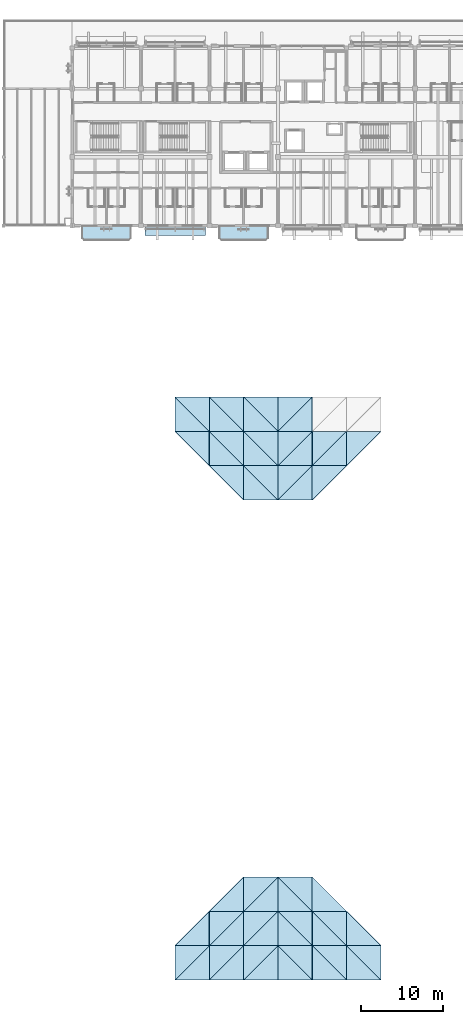
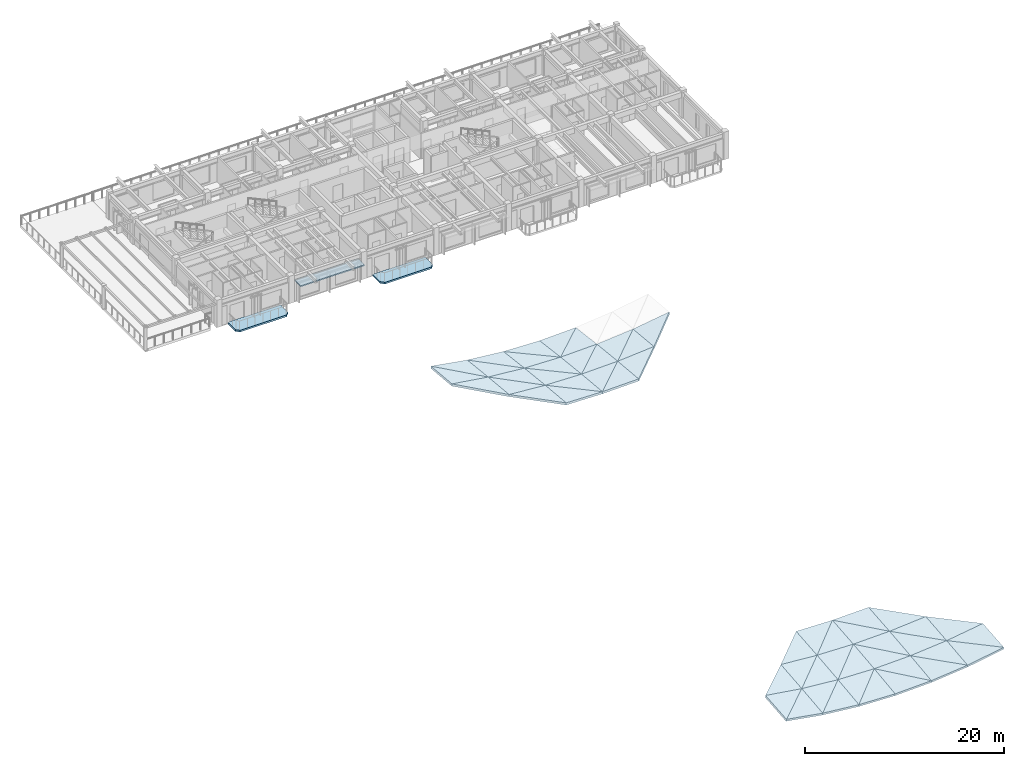
# One storey, part 7 of 22: 54 slabs, 1 plate, 1 element without a shape of its own.
"""IFC4 building model written with IfcOpenShell, lengths in metres."""

from ifc_helpers import new_model, si_unit, direction, frame, origin, origin_2d, place, context, subcontext, project, spatial, polyline, rectangle, outline, extrude, material, layer, layer_set, type_object, element, aggregate, save


model = new_model("IFC4")

# Units and contexts
model_context = context("Model", 3, precision=1e-05, world=origin(), true_north=direction((0.0, 1.0)))
body_context = subcontext(model_context, "Body", "Model", "MODEL_VIEW")
ifc_project = project(units=[si_unit("LENGTHUNIT", "METRE"), si_unit("AREAUNIT", "SQUARE_METRE"), si_unit("VOLUMEUNIT", "CUBIC_METRE"), si_unit("PLANEANGLEUNIT", "RADIAN"), si_unit("MASSUNIT", "GRAM", prefix="KILO")], contexts=[model_context])

# Site, building, storey
site_placement = place(None, origin())
site = spatial("IfcSite", under=ifc_project, at=site_placement, CompositionType="ELEMENT")
building_placement = place(site_placement, origin())
building = spatial("IfcBuilding", under=site, at=building_placement, Name="Cumbredor Promenade Congress Hotel", CompositionType="ELEMENT")
storey_placement = place(building_placement, frame((0.0, 0.0, 28.56005859375)))
storey = spatial("IfcBuildingStorey", under=building, at=storey_placement, Name="L08", CompositionType="ELEMENT", Elevation=28.56005859375)

# Slabs
ifc_material_1 = material(Name="Concrete C40/50", Category="concrete")
ifc_layer_1 = layer(ifc_material_1, 0.215087890625, Name="Concrete C40/50", Category="concrete")
ifc_layer_set_1 = layer_set([ifc_layer_1], Name="Concrete C40/50")
slab_type_1 = type_object("IfcSlabType", Name="Cantilevered Guestroom Balcony Slab 215mm", PredefinedType="FLOOR", material=ifc_layer_set_1)
slab_1_placement = place(storey_placement, frame((0.0, 0.0, -0.215087890625)))
element("IfcSlab", 1, at=slab_1_placement, inside=storey, type_object=slab_type_1, Name="L08 Cantilevered Guestroom Veranda Balcony 049", PredefinedType="FLOOR", context=body_context, shape_type="SweptSolid", body=[
    extrude(outline(polyline([(9.89990234375, 90.550048828125), (15.300048828125, 90.550048828125), (15.64990234375, 90.89990234375), (15.64990234375, 92.39990234375), (9.550048828125, 92.39990234375), (9.550048828125, 90.89990234375), (9.89990234375, 90.550048828125)])), origin(), (0.0, 0.0, 1.0), 0.215087890625),
])
slab_2_placement = place(storey_placement, frame((0.0, 0.0, -0.215087890625)))
element("IfcSlab", 2, at=slab_2_placement, inside=storey, type_object=slab_type_1, Name="L08 Cantilevered Guestroom Veranda Balcony 050", PredefinedType="FLOOR", context=body_context, shape_type="SweptSolid", body=[
    extrude(outline(polyline([(26.699951171875, 90.550048828125), (32.10009765625, 90.550048828125), (32.449951171875, 90.89990234375), (32.449951171875, 92.39990234375), (26.35009765625, 92.39990234375), (26.35009765625, 90.89990234375), (26.699951171875, 90.550048828125)])), origin(), (0.0, 0.0, 1.0), 0.215087890625),
])
ifc_layer_2 = layer(ifc_material_1, 0.25, Name="Concrete C40/50", Category="concrete")
ifc_layer_set_2 = layer_set([ifc_layer_2], Name="Concrete C40/50")
slab_type_2 = type_object("IfcSlabType", Name="Catenary Space Frame Roof Deck 250mm", PredefinedType="ROOF", material=ifc_layer_set_2)
slab_3_placement = place(storey_placement, frame((21.0, 0.0, 3.328857421875), z_axis=(0.167076835038, -0.108460379786, 0.979960038578), x_axis=(0.985775351576, 0.0, -0.168068308212)))
element("IfcSlab", 3, at=slab_3_placement, inside=storey, type_object=slab_type_2, Name="Plenary Congress Hall Sweeping Roof Deck Facet 7.1.1", PredefinedType="ROOF", context=body_context, shape_type="SweptSolid", body=[
    extrude(outline(polyline([(0.0, 0.0), (4.260556084264517, 0.0), (4.182430581619061, 4.224874668423272), (0.0, 0.0)])), origin(), (0.0, 0.0, -1.0), 0.25),
])
slab_4_placement = place(storey_placement, frame((21.0, 0.0, 3.328857421875), z_axis=(0.148336804241, -0.089425738412, 0.984885389178), x_axis=(0.706475147668, 0.706475147668, -0.042257915884)))
element("IfcSlab", 4, at=slab_4_placement, inside=storey, type_object=slab_type_2, Name="Plenary Congress Hall Sweeping Roof Deck Facet 7.1.2", PredefinedType="ROOF", context=body_context, shape_type="SweptSolid", body=[
    extrude(outline(polyline([(0.0, 0.0), (5.944938312038821, -5.204170427930421e-16), (2.95104616716861, 3.012696864986753), (0.0, 0.0)])), origin(), (0.0, 0.0, -1.0), 0.25),
])
slab_5_placement = place(storey_placement, frame((21.0, 4.199951171875, 3.710205078125), z_axis=(0.148256068944, -0.095270688843, 0.98434934544), x_axis=(0.98884721285, 0.0, -0.14893350744)))
element("IfcSlab", 5, at=slab_5_placement, inside=storey, type_object=slab_type_2, Name="Plenary Congress Hall Sweeping Roof Deck Facet 7.2.1", PredefinedType="ROOF", context=body_context, shape_type="SweptSolid", body=[
    extrude(outline(polyline([(0.0, 0.0), (4.247320634872834, -6.938893903907228e-18), (4.186780036755638, 4.219142349871151), (0.0, 0.0)])), origin(), (0.0, 0.0, -1.0), 0.25),
])
slab_6_placement = place(storey_placement, frame((25.199951171875, 63.0, 3.484130859375), z_axis=(0.148256068944, 0.095270688843, 0.98434934544), x_axis=(0.0, 0.995348939821, -0.096335289473)))
element("IfcSlab", 6, at=slab_6_placement, inside=storey, type_object=slab_type_2, Name="Plenary Congress Hall Sweeping Roof Deck Facet 7.16.2", PredefinedType="ROOF", context=body_context, shape_type="SweptSolid", body=[
    extrude(outline(polyline([(0.0, 0.0), (4.219576676930595, -6.938893903907228e-18), (4.158638020918838, 4.246883452088136), (0.0, 0.0)])), origin(), (0.0, 0.0, -1.0), 0.25),
])
slab_7_placement = place(storey_placement, frame((21.0, 67.199951171875, 3.710205078125), z_axis=(0.148336804241, 0.089425738412, 0.984885389178), x_axis=(0.98884721285, 0.0, -0.14893350744)))
element("IfcSlab", 7, at=slab_7_placement, inside=storey, type_object=slab_type_2, Name="Plenary Congress Hall Sweeping Roof Deck Facet 7.17.1", PredefinedType="ROOF", context=body_context, shape_type="SweptSolid", body=[
    extrude(outline(polyline([(0.0, 0.0), (4.247320634872833, 0.0), (0.056795443999434835, 4.216845996547948), (0.0, 0.0)])), origin(), (0.0, 0.0, -1.0), 0.25),
])
slab_8_placement = place(storey_placement, frame((25.199951171875, 67.199951171875, 3.07763671875), z_axis=(0.167076835038, 0.108460379786, 0.979960038578), x_axis=(0.0, 0.993930851571, -0.110006646596)))
element("IfcSlab", 8, at=slab_8_placement, inside=storey, type_object=slab_type_2, Name="Plenary Congress Hall Sweeping Roof Deck Facet 7.17.2", PredefinedType="ROOF", context=body_context, shape_type="SweptSolid", body=[
    extrude(outline(polyline([(0.0, 0.0), (4.225596946947053, 0.0), (4.146825097712163, 4.259827830198248), (0.0, 0.0)])), origin(), (0.0, 0.0, -1.0), 0.25),
])
slab_9_placement = place(storey_placement, frame((25.199951171875, 0.0, 2.61279296875), z_axis=(0.101027920148, -0.121061297496, 0.98749051722), x_axis=(0.994807291666, 0.0, -0.101776482784)))
element("IfcSlab", 9, at=slab_9_placement, inside=storey, type_object=slab_type_2, Name="Plenary Congress Hall Sweeping Roof Deck Facet 8.1.1", PredefinedType="ROOF", context=body_context, shape_type="SweptSolid", body=[
    extrude(outline(polyline([(0.0, 0.0), (4.221874132869245, 0.0), (4.169470177256119, 4.2310705546679905), (0.0, 0.0)])), origin(), (0.0, 0.0, -1.0), 0.25),
])
slab_10_placement = place(storey_placement, frame((25.199951171875, 0.0, 2.61279296875), z_axis=(0.08948220245, -0.10956534628, 0.989943619778), x_axis=(0.707034036636, 0.707034036636, 0.014343712073)))
element("IfcSlab", 10, at=slab_10_placement, inside=storey, type_object=slab_type_2, Name="Plenary Congress Hall Sweeping Roof Deck Facet 8.1.2", PredefinedType="ROOF", context=body_context, shape_type="SweptSolid", body=[
    extrude(outline(polyline([(0.0, 0.0), (5.940239018558652, 4.701100619897147e-16), (2.976176015634226, 2.999674295988122), (0.0, 0.0)])), origin(), (0.0, 0.0, -1.0), 0.25),
])
slab_11_placement = place(storey_placement, frame((25.199951171875, 4.199951171875, 3.07763671875), z_axis=(0.089514991235, -0.106209105356, 0.990306362841), x_axis=(0.995939579594, 0.0, -0.090024184518)))
element("IfcSlab", 11, at=slab_11_placement, inside=storey, type_object=slab_type_2, Name="Plenary Congress Hall Sweeping Roof Deck Facet 8.2.1", PredefinedType="ROOF", context=body_context, shape_type="SweptSolid", body=[
    extrude(outline(polyline([(0.0, 0.0), (4.21707426627955, 0.0), (4.176523821837095, 4.22384199615957), (0.0, 0.0)])), origin(), (0.0, 0.0, -1.0), 0.25),
])
slab_12_placement = place(storey_placement, frame((25.199951171875, 4.199951171875, 3.07763671875), z_axis=(0.07930559598, -0.096031867132, 0.992213940106), x_axis=(0.70705655082, 0.70705655082, 0.011919223376)))
element("IfcSlab", 12, at=slab_12_placement, inside=storey, type_object=slab_type_2, Name="Plenary Congress Hall Sweeping Roof Deck Facet 8.2.2", PredefinedType="ROOF", context=body_context, shape_type="SweptSolid", body=[
    extrude(outline(polyline([(0.0, 0.0), (5.940049868721136, 1.8214596497756474e-16), (2.974448083660264, 2.992905934055801), (0.0, 0.0)])), origin(), (0.0, 0.0, -1.0), 0.25),
])
slab_13_placement = place(storey_placement, frame((25.199951171875, 8.39990234375, 3.484130859375), z_axis=(0.079341625822, -0.0912231412, 0.992664719289), x_axis=(0.99682098753, 0.0, -0.079673827696)))
element("IfcSlab", 13, at=slab_13_placement, inside=storey, type_object=slab_type_2, Name="Plenary Congress Hall Sweeping Roof Deck Facet 8.3.1", PredefinedType="ROOF", context=body_context, shape_type="SweptSolid", body=[
    extrude(outline(polyline([(0.0, 0.0), (4.21334544959972, 0.0), (4.182592441399689, 4.217781450138573), (0.0, 0.0)])), origin(), (0.0, 0.0, -1.0), 0.25),
])
slab_14_placement = place(storey_placement, frame((29.39990234375, 58.800048828125, 3.534423828125), z_axis=(0.079341587441, 0.091228399814, 0.992664239091), x_axis=(0.0, 0.995803522559, -0.091516908049)))
element("IfcSlab", 14, at=slab_14_placement, inside=storey, type_object=slab_type_2, Name="Plenary Congress Hall Sweeping Roof Deck Facet 8.15.2", PredefinedType="ROOF", context=body_context, shape_type="SweptSolid", body=[
    extrude(outline(polyline([(0.0, 0.0), (4.217650446828614, 0.0), (4.186928828526051, 4.21323344473476), (0.0, 0.0)])), origin(), (0.0, 0.0, -1.0), 0.25),
])
slab_15_placement = place(storey_placement, frame((25.199951171875, 63.0, 3.484130859375), z_axis=(0.07930559598, 0.096031867132, 0.992213940106), x_axis=(0.99682098753, 0.0, -0.079673827696)))
element("IfcSlab", 15, at=slab_15_placement, inside=storey, type_object=slab_type_2, Name="Plenary Congress Hall Sweeping Roof Deck Facet 8.16.1", PredefinedType="ROOF", context=body_context, shape_type="SweptSolid", body=[
    extrude(outline(polyline([(0.0, 0.0), (4.21334544959972, 0.0), (0.03238694411957695, 4.219452383704222), (0.0, 0.0)])), origin(), (0.0, 0.0, -1.0), 0.25),
])
slab_16_placement = place(storey_placement, frame((29.39990234375, 63.0, 3.1484375), z_axis=(0.089514991235, 0.106209105356, 0.990306362841), x_axis=(0.0, 0.994297997041, -0.106637203077)))
element("IfcSlab", 16, at=slab_16_placement, inside=storey, type_object=slab_type_2, Name="Plenary Congress Hall Sweeping Roof Deck Facet 8.16.2", PredefinedType="ROOF", context=body_context, shape_type="SweptSolid", body=[
    extrude(outline(polyline([(0.0, 0.0), (4.224036641302456, 0.0), (4.183553035153683, 4.216879941965433), (0.0, 0.0)])), origin(), (0.0, 0.0, -1.0), 0.25),
])
slab_17_placement = place(storey_placement, frame((25.199951171875, 67.199951171875, 3.07763671875), z_axis=(0.08948220245, 0.10956534628, 0.989943619778), x_axis=(0.995939579594, 0.0, -0.090024184518)))
element("IfcSlab", 17, at=slab_17_placement, inside=storey, type_object=slab_type_2, Name="Plenary Congress Hall Sweeping Roof Deck Facet 8.17.1", PredefinedType="ROOF", context=body_context, shape_type="SweptSolid", body=[
    extrude(outline(polyline([(0.0, 0.0), (4.21707426627955, -6.938893903907228e-18), (0.04184717952218681, 4.2253897301449355), (0.0, 0.0)])), origin(), (0.0, 0.0, -1.0), 0.25),
])
slab_18_placement = place(storey_placement, frame((29.39990234375, 67.199951171875, 2.697998046875), z_axis=(0.101027920148, 0.121061297496, 0.98749051722), x_axis=(0.0, 0.992568905848, -0.121683882022)))
element("IfcSlab", 18, at=slab_18_placement, inside=storey, type_object=slab_type_2, Name="Plenary Congress Hall Sweeping Roof Deck Facet 8.17.2", PredefinedType="ROOF", context=body_context, shape_type="SweptSolid", body=[
    extrude(outline(polyline([(0.0, 0.0), (4.231395067013053, 0.0), (4.179109023956511, 4.2215503506996015), (0.0, 0.0)])), origin(), (0.0, 0.0, -1.0), 0.25),
])
slab_19_placement = place(storey_placement, frame((29.39990234375, 0.0, 2.18310546875), z_axis=(0.033773062522, -0.12547479695, 0.991521787748), x_axis=(0.999420399615, 0.0, -0.034042103823)))
element("IfcSlab", 19, at=slab_19_placement, inside=storey, type_object=slab_type_2, Name="Plenary Congress Hall Sweeping Roof Deck Facet 9.1.1", PredefinedType="ROOF", context=body_context, shape_type="SweptSolid", body=[
    extrude(outline(polyline([(0.0, 0.0), (4.202631159136412, 0.0), (4.184537980419825, 4.233408615352033), (0.0, 0.0)])), origin(), (0.0, 0.0, -1.0), 0.25),
])
slab_20_placement = place(storey_placement, frame((29.39990234375, 0.0, 2.18310546875), z_axis=(0.029872194917, -0.121629577719, 0.992125948554), x_axis=(0.705620190099, 0.705579175208, 0.065254692074)))
element("IfcSlab", 20, at=slab_20_placement, inside=storey, type_object=slab_type_2, Name="Plenary Congress Hall Sweeping Roof Deck Facet 9.1.2", PredefinedType="ROOF", context=body_context, shape_type="SweptSolid", body=[
    extrude(outline(polyline([(0.0, 0.0), (5.952487430823592, -3.3306690738754696e-16), (2.996997240401309, 2.9870908513417085), (0.0, 0.0)])), origin(), (0.0, 0.0, -1.0), 0.25),
])
slab_21_placement = place(storey_placement, frame((29.39990234375, 4.199951171875, 2.697998046875), z_axis=(0.029913147166, -0.109957418807, 0.993486069191), x_axis=(0.999547023689, 0.0, -0.030095638123)))
element("IfcSlab", 21, at=slab_21_placement, inside=storey, type_object=slab_type_2, Name="Plenary Congress Hall Sweeping Roof Deck Facet 9.2.1", PredefinedType="ROOF", context=body_context, shape_type="SweptSolid", body=[
    extrude(outline(polyline([(0.0, 0.0), (4.202098763695552, 0.0), (4.188108994411735, 4.225573788777523), (0.0, 0.0)])), origin(), (0.0, 0.0, -1.0), 0.25),
])
slab_22_placement = place(storey_placement, frame((29.39990234375, 4.199951171875, 2.697998046875), z_axis=(0.026518384248, -0.106599701526, 0.993948328099), x_axis=(0.70598267622, 0.705941640259, 0.056875842202)))
element("IfcSlab", 22, at=slab_22_placement, inside=storey, type_object=slab_type_2, Name="Plenary Congress Hall Sweeping Roof Deck Facet 9.2.2", PredefinedType="ROOF", context=body_context, shape_type="SweptSolid", body=[
    extrude(outline(polyline([(0.0, 0.0), (5.949431131921448, 0.0), (2.9905395425374577, 2.983145787853083), (0.0, 0.0)])), origin(), (0.0, 0.0, -1.0), 0.25),
])
slab_23_placement = place(storey_placement, frame((29.39990234375, 8.39990234375, 3.1484375), z_axis=(0.026551094754, -0.094461737982, 0.995174366342), x_axis=(0.99964428291, 0.0, -0.026670351422)))
element("IfcSlab", 23, at=slab_23_placement, inside=storey, type_object=slab_type_2, Name="Plenary Congress Hall Sweeping Roof Deck Facet 9.3.1", PredefinedType="ROOF", context=body_context, shape_type="SweptSolid", body=[
    extrude(outline(polyline([(0.0, 0.0), (4.2016899254124995, -1.734723475976807e-18), (4.191056945951724, 4.219060873401355), (0.0, 0.0)])), origin(), (0.0, 0.0, -1.0), 0.25),
])
slab_24_placement = place(storey_placement, frame((29.39990234375, 8.39990234375, 3.1484375), z_axis=(0.02355148879, -0.091486250065, 0.99552779641), x_axis=(0.706285021647, 0.706285021647, 0.048196850466)))
element("IfcSlab", 24, at=slab_24_placement, inside=storey, type_object=slab_type_2, Name="Plenary Congress Hall Sweeping Roof Deck Facet 9.3.2", PredefinedType="ROOF", context=body_context, shape_type="SweptSolid", body=[
    extrude(outline(polyline([(0.0, 0.0), (5.946884308415323, 5.620504062164855e-16), (2.985138362548235, 2.9798615848876677), (0.0, 0.0)])), origin(), (0.0, 0.0, -1.0), 0.25),
])
slab_25_placement = place(storey_placement, frame((29.39990234375, 58.800048828125, 3.534423828125), z_axis=(0.023551477331, 0.091491523591, 0.995527312044), x_axis=(0.999720283744, 0.0, -0.023650671674)))
element("IfcSlab", 25, at=slab_25_placement, inside=storey, type_object=slab_type_2, Name="Plenary Congress Hall Sweeping Roof Deck Facet 9.15.1", PredefinedType="ROOF", context=body_context, shape_type="SweptSolid", body=[
    extrude(outline(polyline([(0.0, 0.0), (4.20137050412712, 0.0), (0.00912883591723474, 4.21764056742492), (0.0, 0.0)])), origin(), (0.0, 0.0, -1.0), 0.25),
])
slab_26_placement = place(storey_placement, frame((33.60009765625, 58.800048828125, 3.43505859375), z_axis=(0.026551080982, 0.094467179985, 0.995173850141), x_axis=(0.0, 0.995524814543, -0.094500495387)))
element("IfcSlab", 26, at=slab_26_placement, inside=storey, type_object=slab_type_2, Name="Plenary Congress Hall Sweeping Roof Deck Facet 9.15.2", PredefinedType="ROOF", context=body_context, shape_type="SweptSolid", body=[
    extrude(outline(polyline([(0.0, 0.0), (4.218831224012834, 0.0), (4.208241446819764, 4.201676580358357), (0.0, 0.0)])), origin(), (0.0, 0.0, -1.0), 0.25),
])
slab_27_placement = place(storey_placement, frame((29.39990234375, 63.0, 3.1484375), z_axis=(0.026518384248, 0.106599701526, 0.993948328099), x_axis=(0.99964428291, 0.0, -0.026670351422)))
element("IfcSlab", 27, at=slab_27_placement, inside=storey, type_object=slab_type_2, Name="Plenary Congress Hall Sweeping Roof Deck Facet 9.16.1", PredefinedType="ROOF", context=body_context, shape_type="SweptSolid", body=[
    extrude(outline(polyline([(0.0, 0.0), (4.2016899254124995, 3.469446951953614e-18), (0.0120133785089598, 4.224019557933242), (0.0, 0.0)])), origin(), (0.0, 0.0, -1.0), 0.25),
])
slab_28_placement = place(storey_placement, frame((33.60009765625, 63.0, 3.036376953125), z_axis=(0.029913147166, 0.109957418807, 0.993486069191), x_axis=(0.0, 0.993930851571, -0.110006646596)))
element("IfcSlab", 28, at=slab_28_placement, inside=storey, type_object=slab_type_2, Name="Plenary Congress Hall Sweeping Roof Deck Facet 9.16.2", PredefinedType="ROOF", context=body_context, shape_type="SweptSolid", body=[
    extrude(outline(polyline([(0.0, 0.0), (4.225596946947053, 0.0), (4.211684973573827, 4.202075734306624), (0.0, 0.0)])), origin(), (0.0, 0.0, -1.0), 0.25),
])
slab_29_placement = place(storey_placement, frame((29.39990234375, 67.199951171875, 2.697998046875), z_axis=(0.029872194917, 0.121629577719, 0.992125948554), x_axis=(0.999547023689, 0.0, -0.030095638123)))
element("IfcSlab", 29, at=slab_29_placement, inside=storey, type_object=slab_type_2, Name="Plenary Congress Hall Sweeping Roof Deck Facet 9.17.1", PredefinedType="ROOF", context=body_context, shape_type="SweptSolid", body=[
    extrude(outline(polyline([(0.0, 0.0), (4.202098763695552, 1.734723475976807e-18), (0.015496020703555869, 4.231366692510205), (0.0, 0.0)])), origin(), (0.0, 0.0, -1.0), 0.25),
])
slab_30_placement = place(storey_placement, frame((33.60009765625, 67.199951171875, 2.571533203125), z_axis=(0.033773062522, 0.12547479695, 0.991521787748), x_axis=(0.0, 0.992087746619, -0.125546417741)))
element("IfcSlab", 30, at=slab_30_placement, inside=storey, type_object=slab_type_2, Name="Plenary Congress Hall Sweeping Roof Deck Facet 9.17.2", PredefinedType="ROOF", context=body_context, shape_type="SweptSolid", body=[
    extrude(outline(polyline([(0.0, 0.0), (4.23344727942287, 0.0), (4.215485804619169, 4.202592776509181), (0.0, 0.0)])), origin(), (0.0, 0.0, -1.0), 0.25),
])
slab_31_placement = place(storey_placement, frame((33.60009765625, 0.0, 2.0400390625), z_axis=(-0.03377502349, -0.12547478863, 0.991521722004), x_axis=(0.999420332288, 0.0, 0.034044080377)))
element("IfcSlab", 31, at=slab_31_placement, inside=storey, type_object=slab_type_2, Name="Plenary Congress Hall Sweeping Roof Deck Facet 10.1.1", PredefinedType="ROOF", context=body_context, shape_type="SweptSolid", body=[
    extrude(outline(polyline([(0.0, 0.0), (4.202387160023631, -3.469446951953614e-18), (0.018094229243200737, 4.233408610862054), (0.0, 0.0)])), origin(), (0.0, 0.0, -1.0), 0.25),
])
slab_32_placement = place(storey_placement, frame((37.800048828125, 0.0, 2.18310546875), z_axis=(-0.02987392982, -0.12162957141, 0.99212589709), x_axis=(0.0, 0.992568905848, 0.121683882022)))
element("IfcSlab", 32, at=slab_32_placement, inside=storey, type_object=slab_type_2, Name="Plenary Congress Hall Sweeping Roof Deck Facet 10.1.2", PredefinedType="ROOF", context=body_context, shape_type="SweptSolid", body=[
    extrude(outline(polyline([(0.0, 0.0), (4.231395067013053, -1.734723475976807e-18), (4.216006333886185, 4.201826553980024), (0.0, 0.0)])), origin(), (0.0, 0.0, -1.0), 0.25),
])
slab_33_placement = place(storey_placement, frame((33.60009765625, 4.199951171875, 2.571533203125), z_axis=(-0.029914884443, -0.109957413088, 0.993486017514), x_axis=(0.999546971061, 0.0, 0.03009738598)))
element("IfcSlab", 33, at=slab_33_placement, inside=storey, type_object=slab_type_2, Name="Plenary Congress Hall Sweeping Roof Deck Facet 10.2.1", PredefinedType="ROOF", context=body_context, shape_type="SweptSolid", body=[
    extrude(outline(polyline([(0.0, 0.0), (4.201854733666896, -1.734723475976807e-18), (0.013990581764023065, 4.225573786087536), (0.0, 0.0)])), origin(), (0.0, 0.0, -1.0), 0.25),
])
slab_34_placement = place(storey_placement, frame((37.800048828125, 4.199951171875, 2.697998046875), z_axis=(-0.026519924661, -0.106599697168, 0.993948287468), x_axis=(0.0, 0.994297997041, 0.106637203077)))
element("IfcSlab", 34, at=slab_34_placement, inside=storey, type_object=slab_type_2, Name="Plenary Congress Hall Sweeping Roof Deck Facet 10.2.2", PredefinedType="ROOF", context=body_context, shape_type="SweptSolid", body=[
    extrude(outline(polyline([(0.0, 0.0), (4.224036641302456, 0.0), (4.212086818008381, 4.20142887765857), (0.0, 0.0)])), origin(), (0.0, 0.0, -1.0), 0.25),
])
slab_35_placement = place(storey_placement, frame((33.60009765625, 8.39990234375, 3.036376953125), z_axis=(-0.026552637065, -0.094461734111, 0.99517432556), x_axis=(0.999644241576, 0.0, 0.02667190065)))
element("IfcSlab", 35, at=slab_35_placement, inside=storey, type_object=slab_type_2, Name="Plenary Congress Hall Sweeping Roof Deck Facet 10.3.1", PredefinedType="ROOF", context=body_context, shape_type="SweptSolid", body=[
    extrude(outline(polyline([(0.0, 0.0), (4.201445871637538, 0.0), (0.010633597109760407, 4.219060871844696), (0.0, 0.0)])), origin(), (0.0, 0.0, -1.0), 0.25),
])
slab_36_placement = place(storey_placement, frame((37.800048828125, 8.39990234375, 3.1484375), z_axis=(-0.023552857064, -0.091486247115, 0.99552776431), x_axis=(0.0, 0.995804007328, 0.091511633084)))
element("IfcSlab", 36, at=slab_36_placement, inside=storey, type_object=slab_type_2, Name="Plenary Congress Hall Sweeping Roof Deck Facet 10.3.2", PredefinedType="ROOF", context=body_context, shape_type="SweptSolid", body=[
    extrude(outline(polyline([(0.0, 0.0), (4.217893562982167, 1.734723475976807e-18), (4.208800488112688, 4.201116591089328), (0.0, 0.0)])), origin(), (0.0, 0.0, -1.0), 0.25),
])
slab_37_placement = place(storey_placement, frame((33.60009765625, 58.800048828125, 3.43505859375), z_axis=(-0.023552845605, 0.091491520641, 0.995527279945), x_axis=(0.999720251237, 0.0, 0.023652045704)))
element("IfcSlab", 37, at=slab_37_placement, inside=storey, type_object=slab_type_2, Name="Plenary Congress Hall Sweeping Roof Deck Facet 10.15.1", PredefinedType="ROOF", context=body_context, shape_type="SweptSolid", body=[
    extrude(outline(polyline([(0.0, 0.0), (4.201126431796189, 0.0), (4.191997065522085, 4.21764056627696), (0.0, 0.0)])), origin(), (0.0, 0.0, -1.0), 0.25),
])
slab_38_placement = place(storey_placement, frame((33.60009765625, 58.800048828125, 3.43505859375), z_axis=(-0.026552623292, 0.094467176114, 0.995173809359), x_axis=(0.706284926274, 0.706284926274, -0.048199645611)))
element("IfcSlab", 38, at=slab_38_placement, inside=storey, type_object=slab_type_2, Name="Plenary Congress Hall Sweeping Roof Deck Facet 10.15.2", PredefinedType="ROOF", context=body_context, shape_type="SweptSolid", body=[
    extrude(outline(polyline([(0.0, 0.0), (5.946539442705381, -1.6306400674181987e-16), (2.985578517570724, 2.980747861212992), (0.0, 0.0)])), origin(), (0.0, 0.0, -1.0), 0.25),
])
slab_39_placement = place(storey_placement, frame((33.60009765625, 63.0, 3.036376953125), z_axis=(-0.026519924661, 0.106599697168, 0.993948287468), x_axis=(0.999644241576, 0.0, 0.02667190065)))
element("IfcSlab", 39, at=slab_39_placement, inside=storey, type_object=slab_type_2, Name="Plenary Congress Hall Sweeping Roof Deck Facet 10.16.1", PredefinedType="ROOF", context=body_context, shape_type="SweptSolid", body=[
    extrude(outline(polyline([(0.0, 0.0), (4.201445871637538, 0.0), (4.189431795294912, 4.224019555948502), (0.0, 0.0)])), origin(), (0.0, 0.0, -1.0), 0.25),
])
slab_40_placement = place(storey_placement, frame((33.60009765625, 63.0, 3.036376953125), z_axis=(-0.029914884443, 0.109957413088, 0.993486017514), x_axis=(0.705962092161, 0.705962092161, -0.056877489957)))
element("IfcSlab", 40, at=slab_40_placement, inside=storey, type_object=slab_type_2, Name="Plenary Congress Hall Sweeping Roof Deck Facet 10.16.2", PredefinedType="ROOF", context=body_context, shape_type="SweptSolid", body=[
    extrude(outline(polyline([(0.0, 0.0), (5.949258775382302, -1.942890293094024e-16), (2.991445461992482, 2.9844469514422327), (0.0, 0.0)])), origin(), (0.0, 0.0, -1.0), 0.25),
])
slab_41_placement = place(storey_placement, frame((33.60009765625, 67.199951171875, 2.571533203125), z_axis=(-0.02987392982, 0.12162957141, 0.99212589709), x_axis=(0.999546971061, 0.0, 0.03009738598)))
element("IfcSlab", 41, at=slab_41_placement, inside=storey, type_object=slab_type_2, Name="Plenary Congress Hall Sweeping Roof Deck Facet 10.17.1", PredefinedType="ROOF", context=body_context, shape_type="SweptSolid", body=[
    extrude(outline(polyline([(0.0, 0.0), (4.201854733666896, 0.0), (4.186357813004961, 4.231366689214301), (0.0, 0.0)])), origin(), (0.0, 0.0, -1.0), 0.25),
])
slab_42_placement = place(storey_placement, frame((33.60009765625, 67.199951171875, 2.571533203125), z_axis=(-0.03377502349, 0.12547478863, 0.991521722004), x_axis=(0.705599595622, 0.705599595622, -0.065256580633)))
element("IfcSlab", 42, at=slab_42_placement, inside=storey, type_object=slab_type_2, Name="Plenary Congress Hall Sweeping Roof Deck Facet 10.17.2", PredefinedType="ROOF", context=body_context, shape_type="SweptSolid", body=[
    extrude(outline(polyline([(0.0, 0.0), (5.952315162783306, -3.191891195797325e-16), (2.9981673387512497, 2.9888239286545697), (0.0, 0.0)])), origin(), (0.0, 0.0, -1.0), 0.25),
])
slab_43_placement = place(storey_placement, frame((37.800048828125, 0.0, 2.18310546875), z_axis=(-0.101027920148, -0.121061297496, 0.98749051722), x_axis=(0.994807291666, 0.0, 0.101776482784)))
element("IfcSlab", 43, at=slab_43_placement, inside=storey, type_object=slab_type_2, Name="Plenary Congress Hall Sweeping Roof Deck Facet 11.1.1", PredefinedType="ROOF", context=body_context, shape_type="SweptSolid", body=[
    extrude(outline(polyline([(0.0, 0.0), (4.221874132869245, 0.0), (0.052403955613126295, 4.2310705546679905), (0.0, 0.0)])), origin(), (0.0, 0.0, -1.0), 0.25),
])
slab_44_placement = place(storey_placement, frame((42.0, 0.0, 2.61279296875), z_axis=(-0.08948220245, -0.10956534628, 0.989943619778), x_axis=(0.0, 0.993930851571, 0.110006646596)))
element("IfcSlab", 44, at=slab_44_placement, inside=storey, type_object=slab_type_2, Name="Plenary Congress Hall Sweeping Roof Deck Facet 11.1.2", PredefinedType="ROOF", context=body_context, shape_type="SweptSolid", body=[
    extrude(outline(polyline([(0.0, 0.0), (4.225596946947053, 0.0), (4.18383416973592, 4.216867467416639), (0.0, 0.0)])), origin(), (0.0, 0.0, -1.0), 0.25),
])
slab_45_placement = place(storey_placement, frame((37.800048828125, 4.199951171875, 2.697998046875), z_axis=(-0.089514991235, -0.106209105356, 0.990306362841), x_axis=(0.995939579594, 0.0, 0.090024184518)))
element("IfcSlab", 45, at=slab_45_placement, inside=storey, type_object=slab_type_2, Name="Plenary Congress Hall Sweeping Roof Deck Facet 11.2.1", PredefinedType="ROOF", context=body_context, shape_type="SweptSolid", body=[
    extrude(outline(polyline([(0.0, 0.0), (4.21707426627955, 0.0), (0.04055044444245519, 4.22384199615957), (0.0, 0.0)])), origin(), (0.0, 0.0, -1.0), 0.25),
])
slab_46_placement = place(storey_placement, frame((42.0, 4.199951171875, 3.07763671875), z_axis=(-0.07930559598, -0.096031867132, 0.992213940106), x_axis=(0.0, 0.995348939821, 0.096335289473)))
element("IfcSlab", 46, at=slab_46_placement, inside=storey, type_object=slab_type_2, Name="Plenary Congress Hall Sweeping Roof Deck Facet 11.2.2", PredefinedType="ROOF", context=body_context, shape_type="SweptSolid", body=[
    extrude(outline(polyline([(0.0, 0.0), (4.219576676930595, 6.938893903907228e-18), (4.1872375599810905, 4.21322133992241), (0.0, 0.0)])), origin(), (0.0, 0.0, -1.0), 0.25),
])
slab_47_placement = place(storey_placement, frame((37.800048828125, 8.39990234375, 3.1484375), z_axis=(-0.079341625822, -0.0912231412, 0.992664719289), x_axis=(0.99682098753, 0.0, 0.079673827696)))
element("IfcSlab", 47, at=slab_47_placement, inside=storey, type_object=slab_type_2, Name="Plenary Congress Hall Sweeping Roof Deck Facet 11.3.1", PredefinedType="ROOF", context=body_context, shape_type="SweptSolid", body=[
    extrude(outline(polyline([(0.0, 0.0), (4.21334544959972, 0.0), (0.030753008200030726, 4.217781450138573), (0.0, 0.0)])), origin(), (0.0, 0.0, -1.0), 0.25),
])
slab_48_placement = place(storey_placement, frame((37.800048828125, 58.800048828125, 3.534423828125), z_axis=(-0.079341587441, 0.091228399814, 0.992664239091), x_axis=(0.707081434119, 0.707081434119, -0.008467056643)))
element("IfcSlab", 48, at=slab_48_placement, inside=storey, type_object=slab_type_2, Name="Plenary Congress Hall Sweeping Roof Deck Facet 11.15.2", PredefinedType="ROOF", context=body_context, shape_type="SweptSolid", body=[
    extrude(outline(polyline([(0.0, 0.0), (5.939840829094166, -2.5240226575462543e-16), (2.9729756659431446, 2.991653553027744), (0.0, 0.0)])), origin(), (0.0, 0.0, -1.0), 0.25),
])
slab_49_placement = place(storey_placement, frame((37.800048828125, 63.0, 3.1484375), z_axis=(-0.07930559598, 0.096031867132, 0.992213940106), x_axis=(0.99682098753, 0.0, 0.079673827696)))
element("IfcSlab", 49, at=slab_49_placement, inside=storey, type_object=slab_type_2, Name="Plenary Congress Hall Sweeping Roof Deck Facet 11.16.1", PredefinedType="ROOF", context=body_context, shape_type="SweptSolid", body=[
    extrude(outline(polyline([(0.0, 0.0), (4.21334544959972, 0.0), (4.180958505480143, 4.219452383704222), (0.0, 0.0)])), origin(), (0.0, 0.0, -1.0), 0.25),
])
slab_50_placement = place(storey_placement, frame((37.800048828125, 63.0, 3.1484375), z_axis=(-0.089514991235, 0.106209105356, 0.990306362841), x_axis=(0.70705655082, 0.70705655082, -0.011919223376)))
element("IfcSlab", 50, at=slab_50_placement, inside=storey, type_object=slab_type_2, Name="Plenary Congress Hall Sweeping Roof Deck Facet 11.16.2", PredefinedType="ROOF", context=body_context, shape_type="SweptSolid", body=[
    extrude(outline(polyline([(0.0, 0.0), (5.940049868721136, -1.0928757898653885e-16), (2.97497187765628, 2.998671018004477), (0.0, 0.0)])), origin(), (0.0, 0.0, -1.0), 0.25),
])
slab_51_placement = place(storey_placement, frame((42.0, 0.0, 2.61279296875), z_axis=(-0.167076835038, -0.108460379786, 0.979960038578), x_axis=(0.985775351576, 0.0, 0.168068308212)))
element("IfcSlab", 51, at=slab_51_placement, inside=storey, type_object=slab_type_2, Name="Plenary Congress Hall Sweeping Roof Deck Facet 12.1.1", PredefinedType="ROOF", context=body_context, shape_type="SweptSolid", body=[
    extrude(outline(polyline([(0.0, 0.0), (4.260556084264517, 0.0), (0.07812550264545673, 4.224874668423272), (0.0, 0.0)])), origin(), (0.0, 0.0, -1.0), 0.25),
])
slab_52_placement = place(storey_placement, frame((46.199951171875, 0.0, 3.328857421875), z_axis=(-0.148336804241, -0.089425738412, 0.984885389178), x_axis=(0.0, 0.995903165323, 0.090426131735)))
element("IfcSlab", 52, at=slab_52_placement, inside=storey, type_object=slab_type_2, Name="Plenary Congress Hall Sweeping Roof Deck Facet 12.1.2", PredefinedType="ROOF", context=body_context, shape_type="SweptSolid", body=[
    extrude(outline(polyline([(0.0, 0.0), (4.217228459671299, 6.938893903907228e-18), (4.160027749875186, 4.246935442671031), (0.0, 0.0)])), origin(), (0.0, 0.0, -1.0), 0.25),
])
slab_53_placement = place(storey_placement, frame((42.0, 4.199951171875, 3.07763671875), z_axis=(-0.148256068944, -0.095270688843, 0.98434934544), x_axis=(0.98884721285, 0.0, 0.14893350744)))
element("IfcSlab", 53, at=slab_53_placement, inside=storey, type_object=slab_type_2, Name="Plenary Congress Hall Sweeping Roof Deck Facet 12.2.1", PredefinedType="ROOF", context=body_context, shape_type="SweptSolid", body=[
    extrude(outline(polyline([(0.0, 0.0), (4.247320634872834, 6.938893903907228e-18), (0.060540598117195255, 4.21914234987115), (0.0, 0.0)])), origin(), (0.0, 0.0, -1.0), 0.25),
])
slab_54_placement = place(storey_placement, frame((42.0, 63.0, 3.484130859375), z_axis=(-0.148256068944, 0.095270688843, 0.98434934544), x_axis=(0.706595138181, 0.706595138181, 0.038034476426)))
element("IfcSlab", 54, at=slab_54_placement, inside=storey, type_object=slab_type_2, Name="Plenary Congress Hall Sweeping Roof Deck Facet 12.16.2", PredefinedType="ROOF", context=body_context, shape_type="SweptSolid", body=[
    extrude(outline(polyline([(0.0, 0.0), (5.943928771835325, -1.5265566588595902e-16), (2.9522042868369844, 3.0148494458725423), (0.0, 0.0)])), origin(), (0.0, 0.0, -1.0), 0.25),
])

# Curtain wall, plate
ifc_material_2 = material(Name="Thermally broken anodized aluminium and low-E glass", Category="aluminium")
curtain_wall_type = type_object("IfcCurtainWallType", Name="Solar Brise-Soleil Screen Assembly CW-07", PredefinedType="NOTDEFINED", material=ifc_material_2)
curtain_wall_placement = place(storey_placement, origin())
curtain_wall = element("IfcCurtainWall", 55, at=curtain_wall_placement, inside=storey, type_object=curtain_wall_type, Name="L08 Hospitality Brise-Soleil Screen 103", PredefinedType="NOTDEFINED")
ifc_material_3 = material(Name="Precast concrete C40/50", Category="concrete")
ifc_layer_3 = layer(ifc_material_3, 0.14501953125, Name="Precast concrete C40/50", Category="concrete")
ifc_layer_set_3 = layer_set([ifc_layer_3], Name="Precast concrete C40/50")
plate_type = type_object("IfcPlateType", Name="Horizontal Precast Sun-Hood Eyebrow Plate 145mm", PredefinedType="USERDEFINED", material=ifc_layer_set_3)
plate_placement = place(storey_placement, frame((21.0, 91.833740234375, 2.333984375), z_axis=(0.0, 0.0, 1.0), x_axis=(1.0, 0.0, 0.0)))
plate = element("IfcPlate", 56, at=plate_placement, type_object=plate_type, Name="L08 Horizontal Sun-Hood Eyebrow 103", ObjectType="SUN HOOD", PredefinedType="USERDEFINED", context=body_context, shape_type="SweptSolid", body=[
    extrude(rectangle(XDim=7.39794921875, YDim=1.29248046875, at=origin_2d()), origin(), (0.0, 0.0, 1.0), 0.14501953125),
])
aggregate(curtain_wall, [plate])

save(model, "model.ifc")
